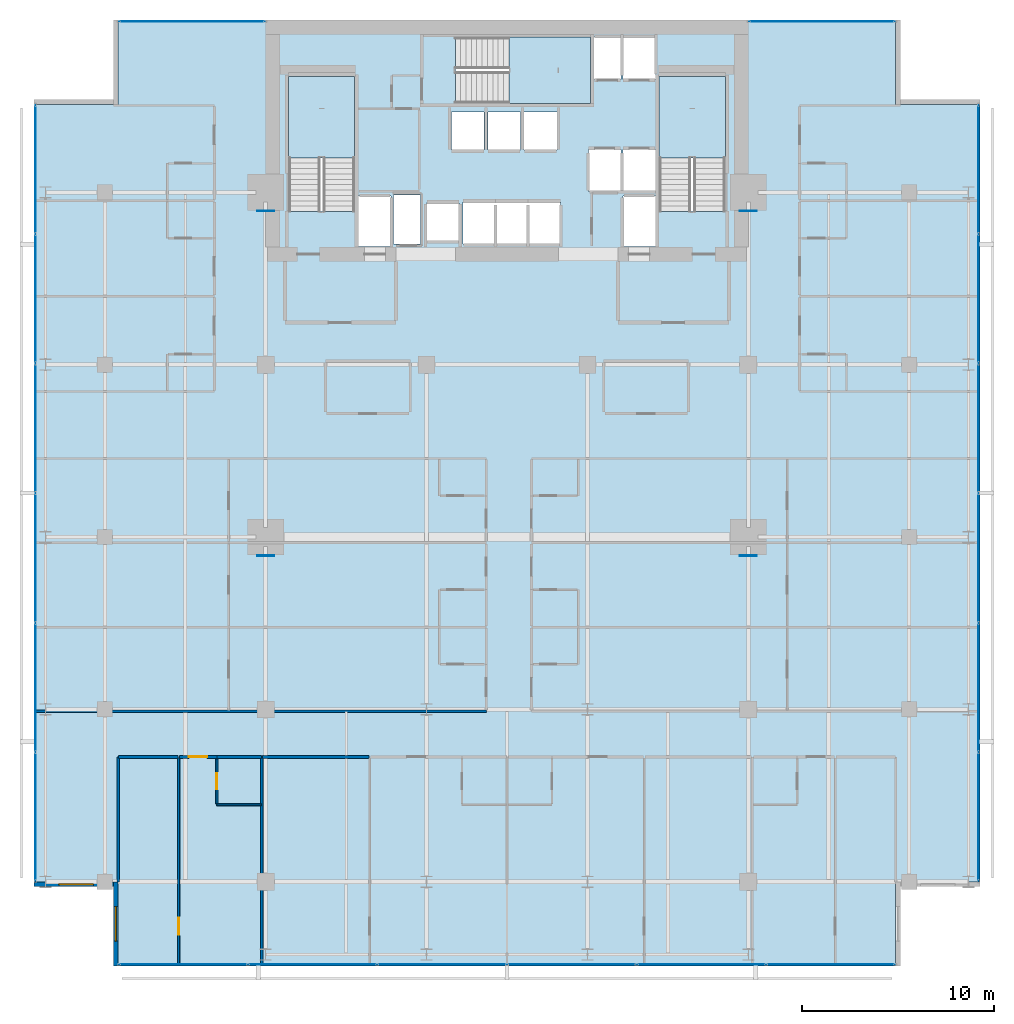
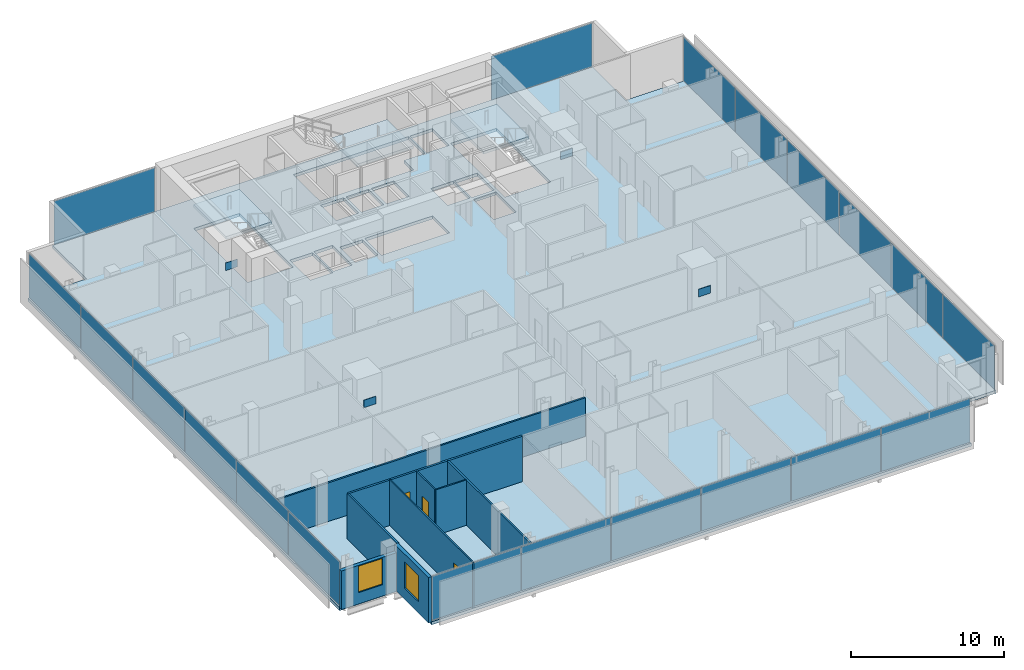
# One storey, part 26 of 34: 24 plates, 12 walls, 4 slabs, 3 doors, 2 windows, 5 openings, 8 elements without a shape of their own.
"""IFC4 building model written with IfcOpenShell, lengths in metres."""

from ifc_helpers import new_model, si_unit, direction, frame, frame_2d, origin, origin_2d, place, context, subcontext, project, spatial, polyline, rectangle, outline, extrude, material, layer, layer_set, type_object, element, fill, aggregate, save


model = new_model("IFC4")

# Units and contexts
model_context = context("Model", 3, precision=1e-05, world=origin(), true_north=direction((0.0, 1.0)))
body_context = subcontext(model_context, "Body", "Model", "MODEL_VIEW")
ifc_project = project(units=[si_unit("LENGTHUNIT", "METRE"), si_unit("AREAUNIT", "SQUARE_METRE"), si_unit("VOLUMEUNIT", "CUBIC_METRE"), si_unit("PLANEANGLEUNIT", "RADIAN"), si_unit("MASSUNIT", "GRAM", prefix="KILO")], contexts=[model_context])

# Site, building, storey
site_placement = place(None, origin())
site = spatial("IfcSite", under=ifc_project, at=site_placement, CompositionType="ELEMENT")
building_placement = place(site_placement, origin())
building = spatial("IfcBuilding", under=site, at=building_placement, Name="Maruvema Waterfront Hotel and Observation Tower", CompositionType="ELEMENT")
storey_placement = place(building_placement, frame((0.0, 0.0, 212.10009765625)))
storey = spatial("IfcBuildingStorey", under=building, at=storey_placement, Name="L52", CompositionType="ELEMENT", Elevation=212.10009765625)

# Slab
ifc_material_1 = material(Name="Concrete C50/60", Category="concrete")
ifc_layer_1 = layer(ifc_material_1, 0.239990234375, Name="Reinforced Concrete Floor Slab 240 mm")
ifc_layer_set_1 = layer_set([ifc_layer_1], Name="Concrete C50/60")
slab_type_1 = type_object("IfcSlabType", Name="Reinforced Concrete Floor Slab 240 mm", PredefinedType="FLOOR", material=ifc_layer_set_1)
slab_1_placement = place(storey_placement, frame((0.0, 0.0, -0.239990234375)))
element("IfcSlab", 1, at=slab_1_placement, inside=storey, type_object=slab_type_1, Name="L52 Structural Floor Slab", PredefinedType="FLOOR", context=body_context, shape_type="SweptSolid", body=[
    extrude(outline(polyline([(17.5, 4.60009765625), (58.10009765625, 4.60009765625), (58.10009765625, 9.0), (62.5, 9.0), (62.5, 49.60009765625), (58.10009765625, 49.60009765625), (58.10009765625, 54.0), (17.5, 54.0), (17.5, 49.60009765625), (13.10009765625, 49.60009765625), (13.10009765625, 9.0), (17.5, 9.0), (17.5, 4.60009765625)]), holes=[polyline([(26.39990234375, 44.00048828125), (26.39990234375, 51.050048828125), (29.85009765625, 51.050048828125), (29.85009765625, 44.00048828125), (26.39990234375, 44.00048828125)]), polyline([(30.050048828125, 44.800048828125), (31.75, 44.800048828125), (31.75, 42.169921875), (30.050048828125, 42.169921875), (30.050048828125, 44.800048828125)]), polyline([(31.8798828125, 44.860107421875), (33.280029296875, 44.860107421875), (33.280029296875, 42.2900390625), (31.8798828125, 42.2900390625), (31.8798828125, 44.860107421875)]), polyline([(33.60009765625, 44.449951171875), (35.300048828125, 44.449951171875), (35.300048828125, 42.449951171875), (33.60009765625, 42.449951171875), (33.60009765625, 44.449951171875)]), polyline([(34.89990234375, 49.199951171875), (36.60009765625, 49.199951171875), (36.60009765625, 47.199951171875), (34.89990234375, 47.199951171875), (34.89990234375, 49.199951171875)]), polyline([(36.800048828125, 49.199951171875), (38.5, 49.199951171875), (38.5, 47.199951171875), (36.800048828125, 47.199951171875), (36.800048828125, 49.199951171875)]), polyline([(35.5, 42.300048828125), (35.5, 44.5), (40.60009765625, 44.5), (40.60009765625, 42.300048828125), (35.5, 42.300048828125)]), polyline([(35.1005859375, 53.10009765625), (43.75, 53.10009765625), (43.75, 50.89990234375), (42.14990234375, 50.89990234375), (42.14990234375, 49.64990234375), (35.1005859375, 49.64990234375), (35.1005859375, 53.10009765625)]), polyline([(38.699951171875, 49.199951171875), (40.39990234375, 49.199951171875), (40.39990234375, 47.199951171875), (38.699951171875, 47.199951171875), (38.699951171875, 49.199951171875)]), polyline([(42.050048828125, 47.25), (43.75, 47.25), (43.75, 45.050048828125), (42.050048828125, 45.050048828125), (42.050048828125, 47.25)]), polyline([(43.85009765625, 44.800048828125), (45.550048828125, 44.800048828125), (45.550048828125, 42.169921875), (43.85009765625, 42.169921875), (43.85009765625, 44.800048828125)]), polyline([(43.85009765625, 47.25), (45.550048828125, 47.25), (45.550048828125, 45.050048828125), (43.85009765625, 45.050048828125), (43.85009765625, 47.25)]), polyline([(45.550048828125, 53.10009765625), (45.550048828125, 50.89990234375), (43.85009765625, 50.89990234375), (43.85009765625, 53.10009765625), (45.550048828125, 53.10009765625)]), polyline([(45.75, 44.00048828125), (45.75, 51.050048828125), (49.199951171875, 51.050048828125), (49.199951171875, 44.00048828125), (45.75, 44.00048828125)])]), origin(), (0.0, 0.0, 1.0), 0.239990234375),
])

# Curtain wall, plates
ifc_material_2 = material(Name="Anodised bronze aluminium and solar-control low-E IGU", Category="aluminium")
ifc_layer_2 = layer(ifc_material_2, 0.159912109375, Name="Zone 2 Amber Inner Thermal Curtain Wall System CW-03")
ifc_layer_set_2 = layer_set([ifc_layer_2], Name="Anodised bronze aluminium and solar-control low-E IGU")
curtain_wall_type = type_object("IfcCurtainWallType", Name="Zone 2 Amber Inner Thermal Curtain Wall System CW-03", PredefinedType="USERDEFINED", material=ifc_layer_set_2)
curtain_wall_1_placement = place(storey_placement, origin())
curtain_wall_1 = element("IfcCurtainWall", 2, at=curtain_wall_1_placement, inside=storey, type_object=curtain_wall_type, Name="L52 Curtain Wall CW-L52-S", ObjectType="UNITISED CURTAIN WALL", PredefinedType="USERDEFINED")
ifc_material_3 = material(Name="Laminated low-E solar-control double glazing", Category="glass")
ifc_layer_3 = layer(ifc_material_3, 0.035888671875, Name="Solar Control Double-Glazed Curtain Panel 36 mm")
ifc_layer_set_3 = layer_set([ifc_layer_3], Name="Laminated low-E solar-control double glazing")
plate_type_1 = type_object("IfcPlateType", Name="Solar Control Double-Glazed Curtain Panel 36 mm", PredefinedType="CURTAIN_PANEL", material=ifc_layer_set_3)
plate_1_placement = place(storey_placement, frame((20.8984375, 4.679931640625, 0.06005859375), z_axis=(0.0, 0.0, 1.0), x_axis=(1.0, 0.0, 0.0)))
plate_1 = element("IfcPlate", 3, at=plate_1_placement, type_object=plate_type_1, Name="CW-03 panel 1.1", PredefinedType="CURTAIN_PANEL", context=body_context, shape_type="SweptSolid", body=[
    extrude(rectangle(XDim=6.6767578125, YDim=0.028076171875, at=origin_2d()), origin(), (0.0, 0.0, 1.0), 3.489990234375),
])
plate_2_placement = place(storey_placement, frame((27.64990234375, 4.679931640625, 0.06005859375), z_axis=(0.0, 0.0, 1.0), x_axis=(1.0, 0.0, 0.0)))
plate_2 = element("IfcPlate", 4, at=plate_2_placement, type_object=plate_type_1, Name="CW-03 panel 2.1", PredefinedType="CURTAIN_PANEL", context=body_context, shape_type="SweptSolid", body=[
    extrude(rectangle(XDim=6.706787109375, YDim=0.028076171875, at=origin_2d()), origin(), (0.0, 0.0, 1.0), 3.489990234375),
])
plate_3_placement = place(storey_placement, frame((34.416748046875, 4.679931640625, 0.06005859375), z_axis=(0.0, 0.0, 1.0), x_axis=(1.0, 0.0, 0.0)))
plate_3 = element("IfcPlate", 5, at=plate_3_placement, type_object=plate_type_1, Name="CW-03 panel 3.1", PredefinedType="CURTAIN_PANEL", context=body_context, shape_type="SweptSolid", body=[
    extrude(rectangle(XDim=6.706787109375, YDim=0.028076171875, at=origin_2d()), origin(), (0.0, 0.0, 1.0), 3.489990234375),
])
plate_4_placement = place(storey_placement, frame((41.183349609375, 4.679931640625, 0.06005859375), z_axis=(0.0, 0.0, 1.0), x_axis=(1.0, 0.0, 0.0)))
plate_4 = element("IfcPlate", 6, at=plate_4_placement, type_object=plate_type_1, Name="CW-03 panel 4.1", PredefinedType="CURTAIN_PANEL", context=body_context, shape_type="SweptSolid", body=[
    extrude(rectangle(XDim=6.706787109375, YDim=0.028076171875, at=origin_2d()), origin(), (0.0, 0.0, 1.0), 3.489990234375),
])
plate_5_placement = place(storey_placement, frame((47.949951171875, 4.679931640625, 0.06005859375), z_axis=(0.0, 0.0, 1.0), x_axis=(1.0, 0.0, 0.0)))
plate_5 = element("IfcPlate", 7, at=plate_5_placement, type_object=plate_type_1, Name="CW-03 panel 5.1", PredefinedType="CURTAIN_PANEL", context=body_context, shape_type="SweptSolid", body=[
    extrude(rectangle(XDim=6.706787109375, YDim=0.028076171875, at=origin_2d()), origin(), (0.0, 0.0, 1.0), 3.489990234375),
])
plate_6_placement = place(storey_placement, frame((54.70166015625, 4.679931640625, 0.06005859375), z_axis=(0.0, 0.0, 1.0), x_axis=(1.0, 0.0, 0.0)))
plate_6 = element("IfcPlate", 8, at=plate_6_placement, type_object=plate_type_1, Name="CW-03 panel 6.1", PredefinedType="CURTAIN_PANEL", context=body_context, shape_type="SweptSolid", body=[
    extrude(rectangle(XDim=6.6767578125, YDim=0.028076171875, at=origin_2d()), origin(), (0.0, 0.0, 1.0), 3.489990234375),
])
aggregate(curtain_wall_1, [plate_1, plate_2, plate_3, plate_4, plate_5, plate_6])

curtain_wall_2_placement = place(storey_placement, origin())
curtain_wall_2 = element("IfcCurtainWall", 9, at=curtain_wall_2_placement, inside=storey, type_object=curtain_wall_type, Name="L52 Curtain Wall CW-L52-E", ObjectType="UNITISED CURTAIN WALL", PredefinedType="USERDEFINED")
plate_7_placement = place(storey_placement, frame((62.419921875, 12.3984375, 0.06005859375), z_axis=(0.0, 0.0, 1.0), x_axis=(0.0, 1.0, 0.0)))
plate_7 = element("IfcPlate", 10, at=plate_7_placement, type_object=plate_type_1, Name="CW-03 panel 1.1", PredefinedType="CURTAIN_PANEL", context=body_context, shape_type="SweptSolid", body=[
    extrude(rectangle(XDim=6.6767578125, YDim=0.028076171875, at=origin_2d()), origin(), (0.0, 0.0, 1.0), 3.489990234375),
])
plate_8_placement = place(storey_placement, frame((62.419921875, 19.14990234375, 0.06005859375), z_axis=(0.0, 0.0, 1.0), x_axis=(0.0, 1.0, 0.0)))
plate_8 = element("IfcPlate", 11, at=plate_8_placement, type_object=plate_type_1, Name="CW-03 panel 2.1", PredefinedType="CURTAIN_PANEL", context=body_context, shape_type="SweptSolid", body=[
    extrude(rectangle(XDim=6.706787109375, YDim=0.028076171875, at=origin_2d()), origin(), (0.0, 0.0, 1.0), 3.489990234375),
])
plate_9_placement = place(storey_placement, frame((62.419921875, 25.916748046875, 0.06005859375), z_axis=(0.0, 0.0, 1.0), x_axis=(0.0, 1.0, 0.0)))
plate_9 = element("IfcPlate", 12, at=plate_9_placement, type_object=plate_type_1, Name="CW-03 panel 3.1", PredefinedType="CURTAIN_PANEL", context=body_context, shape_type="SweptSolid", body=[
    extrude(rectangle(XDim=6.706787109375, YDim=0.028076171875, at=origin_2d()), origin(), (0.0, 0.0, 1.0), 3.489990234375),
])
plate_10_placement = place(storey_placement, frame((62.419921875, 32.683349609375, 0.06005859375), z_axis=(0.0, 0.0, 1.0), x_axis=(0.0, 1.0, 0.0)))
plate_10 = element("IfcPlate", 13, at=plate_10_placement, type_object=plate_type_1, Name="CW-03 panel 4.1", PredefinedType="CURTAIN_PANEL", context=body_context, shape_type="SweptSolid", body=[
    extrude(rectangle(XDim=6.706787109375, YDim=0.028076171875, at=origin_2d()), origin(), (0.0, 0.0, 1.0), 3.489990234375),
])
plate_11_placement = place(storey_placement, frame((62.419921875, 39.449951171875, 0.06005859375), z_axis=(0.0, 0.0, 1.0), x_axis=(0.0, 1.0, 0.0)))
plate_11 = element("IfcPlate", 14, at=plate_11_placement, type_object=plate_type_1, Name="CW-03 panel 5.1", PredefinedType="CURTAIN_PANEL", context=body_context, shape_type="SweptSolid", body=[
    extrude(rectangle(XDim=6.706787109375, YDim=0.028076171875, at=origin_2d()), origin(), (0.0, 0.0, 1.0), 3.489990234375),
])
plate_12_placement = place(storey_placement, frame((62.419921875, 46.20166015625, 0.06005859375), z_axis=(0.0, 0.0, 1.0), x_axis=(0.0, 1.0, 0.0)))
plate_12 = element("IfcPlate", 15, at=plate_12_placement, type_object=plate_type_1, Name="CW-03 panel 6.1", PredefinedType="CURTAIN_PANEL", context=body_context, shape_type="SweptSolid", body=[
    extrude(rectangle(XDim=6.6767578125, YDim=0.028076171875, at=origin_2d()), origin(), (0.0, 0.0, 1.0), 3.489990234375),
])
aggregate(curtain_wall_2, [plate_7, plate_8, plate_9, plate_10, plate_11, plate_12])

curtain_wall_3_placement = place(storey_placement, origin())
curtain_wall_3 = element("IfcCurtainWall", 16, at=curtain_wall_3_placement, inside=storey, type_object=curtain_wall_type, Name="L52 Curtain Wall CW-L52-W", ObjectType="UNITISED CURTAIN WALL", PredefinedType="USERDEFINED")
plate_13_placement = place(storey_placement, frame((13.179931640625, 46.20166015625, 0.06005859375), z_axis=(0.0, 0.0, 1.0), x_axis=(0.0, -1.0, 0.0)))
plate_13 = element("IfcPlate", 17, at=plate_13_placement, type_object=plate_type_1, Name="CW-03 panel 1.1", PredefinedType="CURTAIN_PANEL", context=body_context, shape_type="SweptSolid", body=[
    extrude(rectangle(XDim=6.6767578125, YDim=0.028076171875, at=origin_2d()), origin(), (0.0, 0.0, 1.0), 3.489990234375),
])
plate_14_placement = place(storey_placement, frame((13.179931640625, 39.449951171875, 0.06005859375), z_axis=(0.0, 0.0, 1.0), x_axis=(0.0, -1.0, 0.0)))
plate_14 = element("IfcPlate", 18, at=plate_14_placement, type_object=plate_type_1, Name="CW-03 panel 2.1", PredefinedType="CURTAIN_PANEL", context=body_context, shape_type="SweptSolid", body=[
    extrude(rectangle(XDim=6.706787109375, YDim=0.028076171875, at=origin_2d()), origin(), (0.0, 0.0, 1.0), 3.489990234375),
])
plate_15_placement = place(storey_placement, frame((13.179931640625, 32.683349609375, 0.06005859375), z_axis=(0.0, 0.0, 1.0), x_axis=(0.0, -1.0, 0.0)))
plate_15 = element("IfcPlate", 19, at=plate_15_placement, type_object=plate_type_1, Name="CW-03 panel 3.1", PredefinedType="CURTAIN_PANEL", context=body_context, shape_type="SweptSolid", body=[
    extrude(rectangle(XDim=6.706787109375, YDim=0.028076171875, at=origin_2d()), origin(), (0.0, 0.0, 1.0), 3.489990234375),
])
plate_16_placement = place(storey_placement, frame((13.179931640625, 25.916748046875, 0.06005859375), z_axis=(0.0, 0.0, 1.0), x_axis=(0.0, -1.0, 0.0)))
plate_16 = element("IfcPlate", 20, at=plate_16_placement, type_object=plate_type_1, Name="CW-03 panel 4.1", PredefinedType="CURTAIN_PANEL", context=body_context, shape_type="SweptSolid", body=[
    extrude(rectangle(XDim=6.706787109375, YDim=0.028076171875, at=origin_2d()), origin(), (0.0, 0.0, 1.0), 3.489990234375),
])
plate_17_placement = place(storey_placement, frame((13.179931640625, 19.14990234375, 0.06005859375), z_axis=(0.0, 0.0, 1.0), x_axis=(0.0, -1.0, 0.0)))
plate_17 = element("IfcPlate", 21, at=plate_17_placement, type_object=plate_type_1, Name="CW-03 panel 5.1", PredefinedType="CURTAIN_PANEL", context=body_context, shape_type="SweptSolid", body=[
    extrude(rectangle(XDim=6.706787109375, YDim=0.028076171875, at=origin_2d()), origin(), (0.0, 0.0, 1.0), 3.489990234375),
])
plate_18_placement = place(storey_placement, frame((13.179931640625, 12.3984375, 0.06005859375), z_axis=(0.0, 0.0, 1.0), x_axis=(0.0, -1.0, 0.0)))
plate_18 = element("IfcPlate", 22, at=plate_18_placement, type_object=plate_type_1, Name="CW-03 panel 6.1", PredefinedType="CURTAIN_PANEL", context=body_context, shape_type="SweptSolid", body=[
    extrude(rectangle(XDim=6.6767578125, YDim=0.028076171875, at=origin_2d()), origin(), (0.0, 0.0, 1.0), 3.489990234375),
])
aggregate(curtain_wall_3, [plate_13, plate_14, plate_15, plate_16, plate_17, plate_18])

# Curtain wall, plate
curtain_wall_4_placement = place(storey_placement, origin())
curtain_wall_4 = element("IfcCurtainWall", 23, at=curtain_wall_4_placement, inside=storey, type_object=curtain_wall_type, Name="L52 Curtain Wall CW-L52-NW", ObjectType="UNITISED CURTAIN WALL", PredefinedType="USERDEFINED")
plate_19_placement = place(storey_placement, frame((21.35009765625, 53.919921875, 0.06005859375), z_axis=(0.0, 0.0, 1.0), x_axis=(-1.0, 0.0, 0.0)))
plate_19 = element("IfcPlate", 24, at=plate_19_placement, type_object=plate_type_1, Name="CW-03 panel 1.1", PredefinedType="CURTAIN_PANEL", context=body_context, shape_type="SweptSolid", body=[
    extrude(rectangle(XDim=7.580078125, YDim=0.028076171875, at=origin_2d()), origin(), (0.0, 0.0, 1.0), 3.489990234375),
])
aggregate(curtain_wall_4, [plate_19])

curtain_wall_5_placement = place(storey_placement, origin())
curtain_wall_5 = element("IfcCurtainWall", 25, at=curtain_wall_5_placement, inside=storey, type_object=curtain_wall_type, Name="L52 Curtain Wall CW-L52-NE", ObjectType="UNITISED CURTAIN WALL", PredefinedType="USERDEFINED")
plate_20_placement = place(storey_placement, frame((54.25, 53.919921875, 0.06005859375), z_axis=(0.0, 0.0, 1.0), x_axis=(-1.0, 0.0, 0.0)))
plate_20 = element("IfcPlate", 26, at=plate_20_placement, type_object=plate_type_1, Name="CW-03 panel 1.1", PredefinedType="CURTAIN_PANEL", context=body_context, shape_type="SweptSolid", body=[
    extrude(rectangle(XDim=7.580078125, YDim=0.028076171875, at=origin_2d()), origin(), (0.0, 0.0, 1.0), 3.489990234375),
])
aggregate(curtain_wall_5, [plate_20])

# Stair, slab
ifc_material_4 = material(Name="Concrete C50/60", Category="concrete")
stair_type = type_object("IfcStairType", Name="Dogleg Exit Stair 1650 mm (22R x 175.0 mm)", PredefinedType="HALF_TURN_STAIR", material=ifc_material_4)
stair_1_placement = place(storey_placement, origin())
stair_1 = element("IfcStair", 27, at=stair_1_placement, inside=storey, type_object=stair_type, Name="L52 ST-01", PredefinedType="HALF_TURN_STAIR")
ifc_material_5 = material(Name="Concrete C50/60", Category="concrete")
ifc_layer_4 = layer(ifc_material_5, 0.219970703125, Name="Stair Concrete Landing Slab 220 mm")
ifc_layer_set_4 = layer_set([ifc_layer_4], Name="Concrete C50/60")
slab_type_2 = type_object("IfcSlabType", Name="Stair Concrete Landing Slab 220 mm", PredefinedType="LANDING", material=ifc_layer_set_4)
slab_2_placement = place(storey_placement, frame((0.0, 0.0, 1.704833984375)))
slab_2 = element("IfcSlab", 28, at=slab_2_placement, type_object=slab_type_2, Name="ST-01 landing 1", PredefinedType="LANDING", context=body_context, shape_type="SweptSolid", body=[
    extrude(outline(polyline([(29.85009765625, 46.800048828125), (29.85009765625, 51.050048828125), (26.39990234375, 51.050048828125), (26.39990234375, 46.800048828125), (29.85009765625, 46.800048828125)])), origin(), (0.0, 0.0, 1.0), 0.219970703125),
])
aggregate(stair_1, [slab_2])

stair_2_placement = place(storey_placement, origin())
stair_2 = element("IfcStair", 29, at=stair_2_placement, inside=storey, type_object=stair_type, Name="L52 ST-02", PredefinedType="HALF_TURN_STAIR")
slab_3_placement = place(storey_placement, frame((0.0, 0.0, 1.704833984375)))
slab_3 = element("IfcSlab", 30, at=slab_3_placement, type_object=slab_type_2, Name="ST-02 landing 1", PredefinedType="LANDING", context=body_context, shape_type="SweptSolid", body=[
    extrude(outline(polyline([(37.89990234375, 49.64990234375), (42.14990234375, 49.64990234375), (42.14990234375, 53.10009765625), (37.89990234375, 53.10009765625), (37.89990234375, 49.64990234375)])), origin(), (0.0, 0.0, 1.0), 0.219970703125),
])
aggregate(stair_2, [slab_3])

stair_3_placement = place(storey_placement, origin())
stair_3 = element("IfcStair", 31, at=stair_3_placement, inside=storey, type_object=stair_type, Name="L52 ST-03", PredefinedType="HALF_TURN_STAIR")
slab_4_placement = place(storey_placement, frame((0.0, 0.0, 1.704833984375)))
slab_4 = element("IfcSlab", 32, at=slab_4_placement, type_object=slab_type_2, Name="ST-03 landing 1", PredefinedType="LANDING", context=body_context, shape_type="SweptSolid", body=[
    extrude(outline(polyline([(49.199951171875, 46.800048828125), (49.199951171875, 51.050048828125), (45.75, 51.050048828125), (45.75, 46.800048828125), (49.199951171875, 46.800048828125)])), origin(), (0.0, 0.0, 1.0), 0.219970703125),
])
aggregate(stair_3, [slab_4])

# Plates
ifc_material_6 = material(Name="Steel ABNT NBR 7007 AR 415 (ASTM A572 Grade 50)", Category="steel")
ifc_layer_5 = layer(ifc_material_6, 0.0400390625, Name="Structural Truss Node Gusset Plate 40 mm")
ifc_layer_set_5 = layer_set([ifc_layer_5], Name="Steel ABNT NBR 7007 AR 415 (ASTM A572 Grade 50)")
plate_type_2 = type_object("IfcPlateType", Name="Structural Truss Node Gusset Plate 40 mm", PredefinedType="USERDEFINED", material=ifc_layer_set_5)
for number, where, z_axis, x_axis, name in (
    (33, (25.199951171875, 26.030029296875, 1.499755859375), (0.0, 0.0, 1.0), (1.0, 0.0, 0.0), "L52 MC-01 Moment Frame Continuity Gusset Plate"),
    (34, (50.39990234375, 26.030029296875, 1.499755859375), (0.0, 0.0, 1.0), (1.0, 0.0, 0.0), "L52 MC-02 Moment Frame Continuity Gusset Plate"),
    (35, (25.199951171875, 44.030029296875, 1.499755859375), (0.0, 0.0, 1.0), (1.0, 0.0, 0.0), "L52 MC-03 Moment Frame Continuity Gusset Plate"),
    (36, (50.39990234375, 44.030029296875, 1.499755859375), (0.0, 0.0, 1.0), (1.0, 0.0, 0.0), "L52 MC-04 Moment Frame Continuity Gusset Plate"),
):
    element("IfcPlate", number, at=place(storey_placement, frame(where, z_axis=z_axis, x_axis=x_axis)), inside=storey, type_object=plate_type_2, Name=name, ObjectType="GUSSET_PLATE", PredefinedType="USERDEFINED", context=body_context, shape_type="SweptSolid", body=[
        extrude(rectangle(XDim=0.89990234375, YDim=0.0400390625, at=origin_2d()), origin(), (0.0, 0.0, 1.0), 0.60009765625),
    ])

# Walls
ifc_material_7 = material(Name="Twin-stud acoustic gypsum drywall", Category="gypsum")
ifc_layer_6 = layer(ifc_material_7, 0.14990234375, Name="Acoustic Corridor and Suite Demising Wall 150 mm")
ifc_layer_set_6 = layer_set([ifc_layer_6], Name="Twin-stud acoustic gypsum drywall")
wall_type_1 = type_object("IfcWallType", Name="Acoustic Corridor and Suite Demising Wall 150 mm", PredefinedType="PARTITIONING", material=ifc_layer_set_6)
wall_1_placement = place(storey_placement, frame((22.64990234375, 15.52001953125, 0.0), z_axis=(0.0, 0.0, 1.0), x_axis=(1.0, 0.0, 0.0)))
element("IfcWall", 37, at=wall_1_placement, inside=storey, type_object=wall_type_1, Name="L52 Bath L52-S1 Back Wall 027", PredefinedType="PARTITIONING", context=body_context, shape_type="SweptSolid", body=[
    extrude(rectangle(XDim=2.330078125, YDim=0.14990234375, at=frame_2d((1.1650390625, 0.0))), origin(), (0.0, 0.0, 1.0), 3.60986328125),
])
wall_2_placement = place(storey_placement, frame((17.52001953125, 15.52001953125, 0.0), z_axis=(0.0, 0.0, 1.0), x_axis=(1.0, 0.0, 0.0)))
element("IfcWall", 38, at=wall_2_placement, inside=storey, type_object=wall_type_1, Name="L52 Bedroom L52-S1 Back Wall 030", PredefinedType="PARTITIONING", context=body_context, shape_type="SweptSolid", body=[
    extrude(rectangle(XDim=3.090087890625, YDim=0.14990234375, at=frame_2d((1.544921875, 0.0))), origin(), (0.0, 0.0, 1.0), 3.60986328125),
])

# Wall, opening, door
wall_3_placement = place(storey_placement, frame((20.68994140625, 15.52001953125, 0.0), z_axis=(0.0, 0.0, 1.0), x_axis=(1.0, 0.0, 0.0)))
wall_3 = element("IfcWall", 39, at=wall_3_placement, inside=storey, type_object=wall_type_1, Name="L52 Unit L52-S1 Corridor Wall 031", PredefinedType="PARTITIONING", context=body_context, shape_type="SweptSolid", body=[
    extrude(rectangle(XDim=1.9599609375, YDim=0.14990234375, at=frame_2d((0.97998046875, 0.0))), origin(), (0.0, 0.0, 1.0), 3.60986328125),
])
opening_1_placement = place(wall_3_placement, frame((0.5048828125, 0.0, 0.0)))
opening_1 = element("IfcOpeningElement", 40, at=opening_1_placement, cuts=wall_3, Name="Opening DR-095", PredefinedType="OPENING", context=body_context, shape_type="SweptSolid", body=[
    extrude(rectangle(XDim=0.949951171875, YDim=2.14990234375, at=frame_2d((0.47509765625, 1.074951171875))), frame((0.0, 0.0849609375, 0.0), z_axis=(0.0, -1.0, 0.0), x_axis=(1.0, 0.0, 0.0)), (0.0, 0.0, 1.0), 0.169921875),
])
ifc_material_8 = material(Name="Acoustic solid-core hardwood timber leaf", Category="wood")
door_type_1 = type_object("IfcDoorType", Name="Guestroom Entrance Fire Door 950x2150 mm", OperationType="NOTDEFINED", PredefinedType="DOOR", material=ifc_material_8)
door_1_placement = place(opening_1_placement, frame((0.949951171875, 0.0, 0.0), z_axis=(0.0, 0.0, 1.0), x_axis=(-1.0, 0.0, 0.0)))
door_1 = element("IfcDoor", 41, at=door_1_placement, inside=storey, type_object=door_type_1, Name="L52 Unit L52-S1 Entrance Door", OperationType="SINGLE_SWING_RIGHT", OverallHeight=2.14990234375, OverallWidth=0.949951171875, PredefinedType="DOOR", context=body_context, shape_type="SweptSolid", body=[
    extrude(rectangle(XDim=0.949951171875, YDim=2.14990234375, at=frame_2d((0.47509765625, 1.074951171875))), frame((0.0, 0.02490234375, 0.0), z_axis=(0.0, -1.0, 0.0), x_axis=(1.0, 0.0, 0.0)), (0.0, 0.0, 1.0), 0.050048828125),
])
fill(opening_1, door_1)

# Walls
wall_4_placement = place(storey_placement, frame((25.02001953125, 15.52001953125, 0.0), z_axis=(0.0, 0.0, 1.0), x_axis=(1.0, 0.0, 0.0)))
element("IfcWall", 42, at=wall_4_placement, inside=storey, type_object=wall_type_1, Name="L52 Bedroom L52-S2 Back Wall 037", PredefinedType="PARTITIONING", context=body_context, shape_type="SweptSolid", body=[
    extrude(rectangle(XDim=5.572021484375, YDim=0.14990234375, at=frame_2d((2.7861328125, 0.0))), origin(), (0.0, 0.0, 1.0), 3.60986328125),
])
ifc_material_9 = material(Name="Moisture-resistant cement-board drywall", Category="gypsum")
ifc_layer_7 = layer(ifc_material_9, 0.10009765625, Name="En-Suite Moisture-Resistant Partition 100 mm")
ifc_layer_set_7 = layer_set([ifc_layer_7], Name="Moisture-resistant cement-board drywall")
wall_type_2 = type_object("IfcWallType", Name="En-Suite Moisture-Resistant Partition 100 mm", PredefinedType="PARTITIONING", material=ifc_layer_set_7)
wall_5_placement = place(storey_placement, frame((22.64990234375, 13.02001953125, 0.0), z_axis=(0.0, 0.0, 1.0), x_axis=(1.0, 0.0, 0.0)))
element("IfcWall", 43, at=wall_5_placement, inside=storey, type_object=wall_type_2, Name="L52 En-Suite L52-S1 South 028", PredefinedType="PARTITIONING", context=body_context, shape_type="SweptSolid", body=[
    extrude(rectangle(XDim=2.31005859375, YDim=0.10009765625, at=frame_2d((1.155029296875, 0.0))), origin(), (0.0, 0.0, 1.0), 3.60986328125),
])

# Wall, opening, door
wall_6_placement = place(storey_placement, frame((22.64990234375, 13.080078125, 0.0), z_axis=(0.0, 0.0, 1.0), x_axis=(0.0, 1.0, 0.0)))
wall_6 = element("IfcWall", 44, at=wall_6_placement, inside=storey, type_object=wall_type_2, Name="L52 En-Suite L52-S1 West 029", PredefinedType="PARTITIONING", context=body_context, shape_type="SweptSolid", body=[
    extrude(rectangle(XDim=2.33984375, YDim=0.10009765625, at=frame_2d((1.169921875, 0.0))), origin(), (0.0, 0.0, 1.0), 3.60986328125),
])
opening_2_placement = place(wall_6_placement, frame((0.7451171875, 0.0, 0.0)))
opening_2 = element("IfcOpeningElement", 45, at=opening_2_placement, cuts=wall_6, Name="Opening DR-085", PredefinedType="OPENING", context=body_context, shape_type="SweptSolid", body=[
    extrude(rectangle(XDim=0.85009765625, YDim=2.10009765625, at=frame_2d((0.425048828125, 1.050048828125))), frame((0.0, 0.06005859375, 0.0), z_axis=(0.0, -1.0, 0.0), x_axis=(1.0, 0.0, 0.0)), (0.0, 0.0, 1.0), 0.1201171875),
])
ifc_material_10 = material(Name="Moisture-resistant solid timber leaf", Category="wood")
door_type_2 = type_object("IfcDoorType", Name="En-Suite Bathroom Door 850x2100 mm", OperationType="NOTDEFINED", PredefinedType="DOOR", material=ifc_material_10)
door_2_placement = place(opening_2_placement, origin())
door_2 = element("IfcDoor", 46, at=door_2_placement, inside=storey, type_object=door_type_2, Name="L52 En-Suite L52-S1 Door", OperationType="SINGLE_SWING_LEFT", OverallHeight=2.10009765625, OverallWidth=0.85009765625, PredefinedType="DOOR", context=body_context, shape_type="SweptSolid", body=[
    extrude(rectangle(XDim=0.85009765625, YDim=2.10009765625, at=frame_2d((0.425048828125, 1.050048828125))), frame((0.0, 0.02490234375, 0.0), z_axis=(0.0, -1.0, 0.0), x_axis=(1.0, 0.0, 0.0)), (0.0, 0.0, 1.0), 0.050048828125),
])
fill(opening_2, door_2)

wall_7_placement = place(storey_placement, frame((20.64990234375, 4.6298828125, 0.0), z_axis=(0.0, 0.0, 1.0), x_axis=(0.0, 1.0, 0.0)))
wall_7 = element("IfcWall", 47, at=wall_7_placement, inside=storey, type_object=wall_type_2, Name="L52 Suite L52-S1 Split 032", PredefinedType="PARTITIONING", context=body_context, shape_type="SweptSolid", body=[
    extrude(rectangle(XDim=10.830078125, YDim=0.10009765625, at=frame_2d((5.4150390625, 0.0))), origin(), (0.0, 0.0, 1.0), 3.60986328125),
])
opening_3_placement = place(wall_7_placement, frame((1.60009765625, 0.0, 0.0)))
opening_3 = element("IfcOpeningElement", 48, at=opening_3_placement, cuts=wall_7, Name="Opening DR-090", PredefinedType="OPENING", context=body_context, shape_type="SweptSolid", body=[
    extrude(rectangle(XDim=0.89990234375, YDim=2.10009765625, at=frame_2d((0.449951171875, 1.050048828125))), frame((0.0, 0.06005859375, 0.0), z_axis=(0.0, -1.0, 0.0), x_axis=(1.0, 0.0, 0.0)), (0.0, 0.0, 1.0), 0.1201171875),
])
ifc_material_11 = material(Name="Solid-core lacquered timber leaf", Category="wood")
door_type_3 = type_object("IfcDoorType", Name="Accessible Toilet and Room Door 900x2100 mm", OperationType="NOTDEFINED", PredefinedType="DOOR", material=ifc_material_11)
door_3_placement = place(opening_3_placement, frame((0.89990234375, 0.0, 0.0), z_axis=(0.0, 0.0, 1.0), x_axis=(-1.0, 0.0, 0.0)))
door_3 = element("IfcDoor", 49, at=door_3_placement, inside=storey, type_object=door_type_3, Name="L52 Suite L52-S1 Bedroom Door", OperationType="SINGLE_SWING_LEFT", OverallHeight=2.10009765625, OverallWidth=0.89990234375, PredefinedType="DOOR", context=body_context, shape_type="SweptSolid", body=[
    extrude(rectangle(XDim=0.89990234375, YDim=2.10009765625, at=frame_2d((0.449951171875, 1.050048828125))), frame((0.0, 0.02490234375, 0.0), z_axis=(0.0, -1.0, 0.0), x_axis=(1.0, 0.0, 0.0)), (0.0, 0.0, 1.0), 0.050048828125),
])
fill(opening_3, door_3)

# Wall, opening, window
ifc_material_12 = material(Name="Precast concrete C45/55 with honed Pernambuco granite facing", Category="masonry")
ifc_layer_8 = layer(ifc_material_12, 0.260009765625, Name="Exterior Granite Clad Spandrel and Pier Wall 260 mm")
ifc_layer_set_8 = layer_set([ifc_layer_8], Name="Precast concrete C45/55 with honed Pernambuco granite facing")
wall_type_3 = type_object("IfcWallType", Name="Exterior Granite Clad Spandrel and Pier Wall 260 mm", PredefinedType="SOLIDWALL", material=ifc_layer_set_8)
wall_8_placement = place(storey_placement, frame((17.3701171875, 4.60009765625, 0.0), z_axis=(0.0, 0.0, 1.0), x_axis=(0.0, 1.0, 0.0)))
wall_8 = element("IfcWall", 50, at=wall_8_placement, inside=storey, type_object=wall_type_3, Name="L52 Corner Notch Granite Pier Wall SW1", PredefinedType="SOLIDWALL", context=body_context, shape_type="SweptSolid", body=[
    extrude(rectangle(XDim=4.39990234375, YDim=0.260009765625, at=frame_2d((2.199951171875, 0.0))), origin(), (0.0, 0.0, 1.0), 3.60986328125),
])
opening_4_placement = place(wall_8_placement, frame((1.300048828125, 0.0, 0.89990234375)))
opening_4 = element("IfcOpeningElement", 51, at=opening_4_placement, cuts=wall_8, Name="Opening WN-02", PredefinedType="OPENING", context=body_context, shape_type="SweptSolid", body=[
    extrude(rectangle(XDim=1.800048828125, YDim=2.10009765625, at=frame_2d((0.89990234375, 1.050048828125))), frame((0.0, 0.14013671875, 0.0), z_axis=(0.0, -1.0, 0.0), x_axis=(1.0, 0.0, 0.0)), (0.0, 0.0, 1.0), 0.280029296875),
])
ifc_material_13 = material(Name="Anodised bronze aluminium frame with laminated low-E glass", Category="aluminium")
window_type = type_object("IfcWindowType", Name="Upper Notch Feature Window 1800x2100 mm", PartitioningType="SINGLE_PANEL", PredefinedType="WINDOW", material=ifc_material_13)
window_1_placement = place(opening_4_placement, origin())
window_1 = element("IfcWindow", 52, at=window_1_placement, inside=storey, type_object=window_type, Name="L52 Corner Notch Punched Window SW1", OverallHeight=2.10009765625, OverallWidth=1.800048828125, PartitioningType="SINGLE_PANEL", PredefinedType="WINDOW", context=body_context, shape_type="SweptSolid", body=[
    extrude(rectangle(XDim=1.800048828125, YDim=2.10009765625, at=frame_2d((0.89990234375, 1.050048828125))), frame((0.0, 0.030029296875, 0.0), z_axis=(0.0, -1.0, 0.0), x_axis=(1.0, 0.0, 0.0)), (0.0, 0.0, 1.0), 0.06005859375),
])
fill(opening_4, window_1)

wall_9_placement = place(storey_placement, frame((17.5, 8.8701171875, 0.0), z_axis=(0.0, 0.0, 1.0), x_axis=(-1.0, 0.0, 0.0)))
wall_9 = element("IfcWall", 53, at=wall_9_placement, inside=storey, type_object=wall_type_3, Name="L52 Corner Notch Granite Pier Wall SW2", PredefinedType="SOLIDWALL", context=body_context, shape_type="SweptSolid", body=[
    extrude(rectangle(XDim=4.39990234375, YDim=0.260009765625, at=frame_2d((2.199951171875, 0.0))), origin(), (0.0, 0.0, 1.0), 3.07080078125),
])
opening_5_placement = place(wall_9_placement, frame((1.300048828125, 0.0, 0.89990234375)))
opening_5 = element("IfcOpeningElement", 54, at=opening_5_placement, cuts=wall_9, Name="Opening WN-02", PredefinedType="OPENING", context=body_context, shape_type="SweptSolid", body=[
    extrude(rectangle(XDim=1.800048828125, YDim=2.10009765625, at=frame_2d((0.89990234375, 1.050048828125))), frame((0.0, 0.14013671875, 0.0), z_axis=(0.0, -1.0, 0.0), x_axis=(1.0, 0.0, 0.0)), (0.0, 0.0, 1.0), 0.280029296875),
])
window_2_placement = place(opening_5_placement, origin())
window_2 = element("IfcWindow", 55, at=window_2_placement, inside=storey, type_object=window_type, Name="L52 Corner Notch Punched Window SW2", OverallHeight=2.10009765625, OverallWidth=1.800048828125, PartitioningType="SINGLE_PANEL", PredefinedType="WINDOW", context=body_context, shape_type="SweptSolid", body=[
    extrude(rectangle(XDim=1.800048828125, YDim=2.10009765625, at=frame_2d((0.89990234375, 1.050048828125))), frame((0.0, 0.030029296875, 0.0), z_axis=(0.0, -1.0, 0.0), x_axis=(1.0, 0.0, 0.0)), (0.0, 0.0, 1.0), 0.06005859375),
])
fill(opening_5, window_2)

# Walls
ifc_material_14 = material(Name="Acoustic gypsum plasterboard drywall", Category="gypsum")
ifc_layer_9 = layer(ifc_material_14, 0.125, Name="Guestroom Acoustic Demising Wall 125 mm")
ifc_layer_set_9 = layer_set([ifc_layer_9], Name="Acoustic gypsum plasterboard drywall")
wall_type_4 = type_object("IfcWallType", Name="Guestroom Acoustic Demising Wall 125 mm", PredefinedType="PARTITIONING", material=ifc_layer_set_9)
wall_10_placement = place(storey_placement, frame((17.5, 9.0, 0.0), z_axis=(0.0, 0.0, 1.0), x_axis=(0.0, 1.0, 0.0)))
element("IfcWall", 56, at=wall_10_placement, inside=storey, type_object=wall_type_4, Name="L52 Z2 S West End 025", PredefinedType="PARTITIONING", context=body_context, shape_type="SweptSolid", body=[
    extrude(rectangle(XDim=6.52001953125, YDim=0.125, at=frame_2d((3.260009765625, 0.0))), origin(), (0.0, 0.0, 1.0), 3.60986328125),
])
wall_11_placement = place(storey_placement, frame((25.0, 4.699951171875, 0.0), z_axis=(0.0, 0.0, 1.0), x_axis=(0.0, 1.0, 0.0)))
element("IfcWall", 57, at=wall_11_placement, inside=storey, type_object=wall_type_4, Name="L52 Z2 S Demising 2 033", PredefinedType="PARTITIONING", context=body_context, shape_type="SweptSolid", body=[
    extrude(rectangle(XDim=10.820068359375, YDim=0.125, at=frame_2d((5.41015625, 0.0))), origin(), (0.0, 0.0, 1.0), 3.60986328125),
])
wall_12_placement = place(storey_placement, frame((13.199951171875, 17.89990234375, 0.0), z_axis=(0.0, 0.0, 1.0), x_axis=(1.0, 0.0, 0.0)))
element("IfcWall", 58, at=wall_12_placement, inside=storey, type_object=wall_type_4, Name="L52 Z2 W Bot End 054", PredefinedType="PARTITIONING", context=body_context, shape_type="SweptSolid", body=[
    extrude(rectangle(XDim=23.52001953125, YDim=0.125, at=frame_2d((11.760009765625, 0.0))), origin(), (0.0, 0.0, 1.0), 3.07080078125),
])

save(model, "model.ifc")
